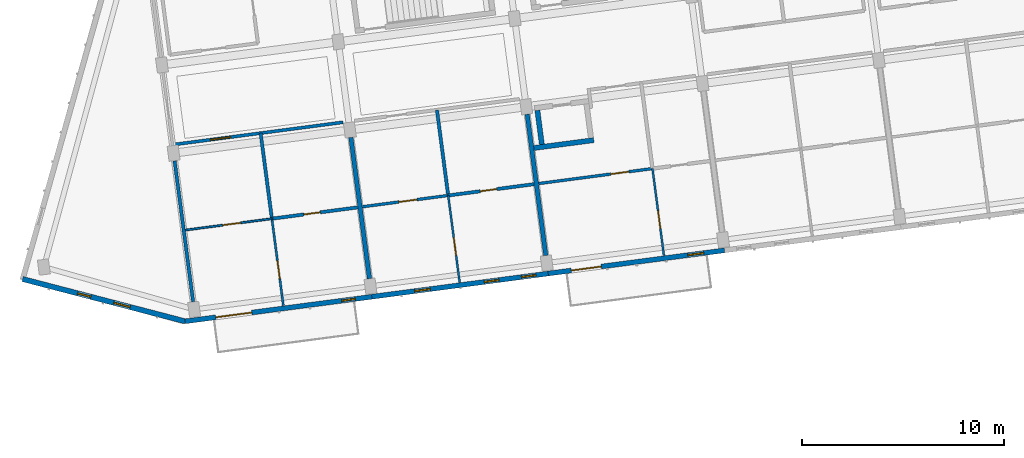
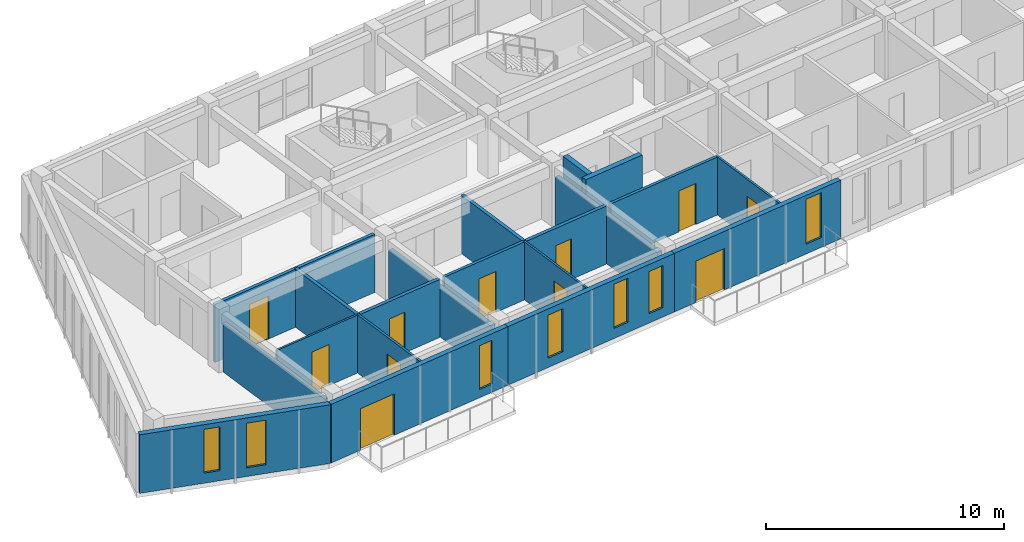
# One storey, part 20 of 65: 20 walls, 11 doors, 7 windows, 18 openings.
"""IFC4 building model written with IfcOpenShell, lengths in metres."""

from ifc_helpers import new_model, si_unit, direction, frame, frame_2d, origin, place, context, subcontext, project, spatial, rectangle, extrude, material, layer, layer_set, type_object, element, fill, save


model = new_model("IFC4")

# Units and contexts
model_context = context("Model", 3, precision=1e-05, world=origin(), true_north=direction((0.0, 1.0)))
body_context = subcontext(model_context, "Body", "Model", "MODEL_VIEW")
ifc_project = project(units=[si_unit("LENGTHUNIT", "METRE"), si_unit("AREAUNIT", "SQUARE_METRE"), si_unit("VOLUMEUNIT", "CUBIC_METRE"), si_unit("PLANEANGLEUNIT", "RADIAN"), si_unit("MASSUNIT", "GRAM", prefix="KILO")], contexts=[model_context])

# Site, building, storey
site_placement = place(None, origin())
site = spatial("IfcSite", under=ifc_project, at=site_placement, CompositionType="ELEMENT")
building_placement = place(site_placement, origin())
building = spatial("IfcBuilding", under=site, at=building_placement, Name="Kestramere Prow Commons", CompositionType="ELEMENT")
storey_placement = place(building_placement, frame((0.0, 0.0, 21.39990234375)))
storey = spatial("IfcBuildingStorey", under=building, at=storey_placement, Name="L06", CompositionType="ELEMENT", Elevation=21.39990234375)

# Wall, openings, windows
ifc_material_1 = material(Name="Weathered Zinc-Titanium Standing-Seam Cladding")
ifc_layer_1 = layer(ifc_material_1, 0.260009765625)
ifc_layer_set_1 = layer_set([ifc_layer_1], Name="Weathered Zinc-Titanium Standing-Seam Cladding")
wall_type_1 = type_object("IfcWallType", Name="EW-PROW-260", PredefinedType="SOLIDWALL", material=ifc_layer_set_1)
wall_1_placement = place(storey_placement, frame((10.748046875, 71.410888671875, 0.0), z_axis=(0.0, 0.0, 1.0), x_axis=(-0.967694955113, 0.252123925577, 0.0)))
wall_1 = element("IfcWall", 1, at=wall_1_placement, inside=storey, type_object=wall_type_1, Name="Block A L06 PRW-S Facet Wall", PredefinedType="SOLIDWALL", context=body_context, shape_type="SweptSolid", body=[
    extrude(rectangle(XDim=8.305419921875, YDim=0.260009765625, at=frame_2d((4.15283203125, 0.0))), origin(), (0.0, 0.0, 1.0), 3.0),
])
opening_1_placement = place(wall_1_placement, frame((2.81005859375, 0.0, 0.449951171875)))
opening_1 = element("IfcOpeningElement", 2, at=opening_1_placement, cuts=wall_1, Name="Opening WN-14", PredefinedType="OPENING", context=body_context, shape_type="SweptSolid", body=[
    extrude(rectangle(XDim=0.840087890625, YDim=2.280029296875, at=frame_2d((0.419921875, 1.14013671875))), frame((0.0, 0.14501953125, 0.0), z_axis=(0.0, -1.0, 0.0), x_axis=(1.0, 0.0, 0.0)), (0.0, 0.0, 1.0), 0.2900390625),
])
opening_2_placement = place(wall_1_placement, frame((4.815185546875, 0.0, 0.52001953125)))
opening_2 = element("IfcOpeningElement", 3, at=opening_2_placement, cuts=wall_1, Name="Opening WN-06", PredefinedType="OPENING", context=body_context, shape_type="SweptSolid", body=[
    extrude(rectangle(XDim=0.679931640625, YDim=2.239990234375, at=frame_2d((0.33984375, 1.1201171875))), frame((0.0, 0.14501953125, 0.0), z_axis=(0.0, -1.0, 0.0), x_axis=(1.0, 0.0, 0.0)), (0.0, 0.0, 1.0), 0.2900390625),
])
ifc_material_2 = material(Name="Low-E Laminated Double Glazing", Category="glass")
window_type_1 = type_object("IfcWindowType", Name="WN-NAR-680A", PartitioningType="SINGLE_PANEL", PredefinedType="WINDOW", material=ifc_material_2)
window_1_placement = place(opening_2_placement, origin())
window_1 = element("IfcWindow", 4, at=window_1_placement, inside=storey, type_object=window_type_1, Name="WN-A-L06-PRW-S-1", OverallHeight=2.239990234375, OverallWidth=0.679931640625, PartitioningType="SINGLE_PANEL", PredefinedType="WINDOW", context=body_context, shape_type="SweptSolid", body=[
    extrude(rectangle(XDim=0.679931640625, YDim=2.239990234375, at=frame_2d((0.33984375, 1.1201171875))), frame((0.0, 0.030029296875, 0.0), z_axis=(0.0, -1.0, 0.0), x_axis=(1.0, 0.0, 0.0)), (0.0, 0.0, 1.0), 0.06005859375),
])
fill(opening_2, window_1)
window_type_2 = type_object("IfcWindowType", Name="WN-NAR-840A", PartitioningType="DOUBLE_PANEL_VERTICAL", PredefinedType="WINDOW", material=ifc_material_2)
window_2_placement = place(opening_1_placement, origin())
window_2 = element("IfcWindow", 5, at=window_2_placement, inside=storey, type_object=window_type_2, Name="WN-A-L06-PRW-S-0", OverallHeight=2.280029296875, OverallWidth=0.840087890625, PartitioningType="SINGLE_PANEL", PredefinedType="WINDOW", context=body_context, shape_type="SweptSolid", body=[
    extrude(rectangle(XDim=0.840087890625, YDim=2.280029296875, at=frame_2d((0.419921875, 1.14013671875))), frame((0.0, 0.030029296875, 0.0), z_axis=(0.0, -1.0, 0.0), x_axis=(1.0, 0.0, 0.0)), (0.0, 0.0, 1.0), 0.06005859375),
])
fill(opening_1, window_2)

# Wall, openings, door, window
ifc_material_3 = material(Name="Fluoropolymer Standing-Seam Zinc-Aluminium Cladding", Category="aluminium")
ifc_layer_2 = layer(ifc_material_3, 0.239990234375)
ifc_layer_set_2 = layer_set([ifc_layer_2], Name="Fluoropolymer Standing-Seam Zinc-Aluminium Cladding")
wall_type_2 = type_object("IfcWallType", Name="EW-SEAM-240", PredefinedType="SOLIDWALL", material=ifc_layer_set_2)
wall_2_placement = place(storey_placement, frame((19.9931640625, 72.628173828125, 0.0), z_axis=(0.0, 0.0, 1.0), x_axis=(-0.991442885224, -0.130541201693, 0.0)))
wall_2 = element("IfcWall", 6, at=wall_2_placement, inside=storey, type_object=wall_type_2, Name="Block A L06 South Standing-Seam Wall 1", PredefinedType="SOLIDWALL", context=body_context, shape_type="SweptSolid", body=[
    extrude(rectangle(XDim=9.324951171875, YDim=0.239990234375, at=frame_2d((4.66259765625, 0.0))), origin(), (0.0, 0.0, 1.0), 3.0),
])
opening_3_placement = place(wall_2_placement, frame((5.9970703125, 0.0, 0.0)))
opening_3 = element("IfcOpeningElement", 7, at=opening_3_placement, cuts=wall_2, Name="Opening GD-BAL-02", PredefinedType="OPENING", context=body_context, shape_type="SweptSolid", body=[
    extrude(rectangle(XDim=1.800048828125, YDim=2.1201171875, at=frame_2d((0.89990234375, 1.06005859375))), frame((0.0, 0.135009765625, 0.0), z_axis=(0.0, -1.0, 0.0), x_axis=(1.0, 0.0, 0.0)), (0.0, 0.0, 1.0), 0.27001953125),
])
opening_4_placement = place(wall_2_placement, frame((0.830078125, 0.0, 0.419921875)))
opening_4 = element("IfcOpeningElement", 8, at=opening_4_placement, cuts=wall_2, Name="Opening WN-06", PredefinedType="OPENING", context=body_context, shape_type="SweptSolid", body=[
    extrude(rectangle(XDim=0.679931640625, YDim=2.239990234375, at=frame_2d((0.33984375, 1.1201171875))), frame((0.0, 0.135009765625, 0.0), z_axis=(0.0, -1.0, 0.0), x_axis=(1.0, 0.0, 0.0)), (0.0, 0.0, 1.0), 0.27001953125),
])
ifc_material_4 = material(Name="Thermally-Broken Anodised Aluminium Glazed", Category="aluminium")
door_type_1 = type_object("IfcDoorType", Name="GD-BAL-1800", OperationType="SLIDING_TO_LEFT", PredefinedType="DOOR", material=ifc_material_4)
door_1_placement = place(opening_3_placement, origin())
door_1 = element("IfcDoor", 9, at=door_1_placement, inside=storey, type_object=door_type_1, Name="Block A L06 Balcony Door 1", OperationType="SLIDING_TO_LEFT", OverallHeight=2.1201171875, OverallWidth=1.800048828125, PredefinedType="DOOR", context=body_context, shape_type="SweptSolid", body=[
    extrude(rectangle(XDim=1.800048828125, YDim=2.1201171875, at=frame_2d((0.89990234375, 1.06005859375))), frame((0.0, 0.02490234375, 0.0), z_axis=(0.0, -1.0, 0.0), x_axis=(1.0, 0.0, 0.0)), (0.0, 0.0, 1.0), 0.050048828125),
])
fill(opening_3, door_1)
window_3_placement = place(opening_4_placement, origin())
window_3 = element("IfcWindow", 10, at=window_3_placement, inside=storey, type_object=window_type_1, Name="WN-A-L06-SR-0", OverallHeight=2.239990234375, OverallWidth=0.679931640625, PartitioningType="SINGLE_PANEL", PredefinedType="WINDOW", context=body_context, shape_type="SweptSolid", body=[
    extrude(rectangle(XDim=0.679931640625, YDim=2.239990234375, at=frame_2d((0.33984375, 1.1201171875))), frame((0.0, 0.030029296875, 0.0), z_axis=(0.0, -1.0, 0.0), x_axis=(1.0, 0.0, 0.0)), (0.0, 0.0, 1.0), 0.06005859375),
])
fill(opening_4, window_3)

# Wall, openings, windows
wall_3_placement = place(storey_placement, frame((28.718017578125, 73.77685546875, 0.0), z_axis=(0.0, 0.0, 1.0), x_axis=(-0.991444377792, -0.130529865336, 0.0)))
wall_3 = element("IfcWall", 11, at=wall_3_placement, inside=storey, type_object=wall_type_2, Name="Block A L06 South Standing-Seam Wall 2", PredefinedType="SOLIDWALL", context=body_context, shape_type="SweptSolid", body=[
    extrude(rectangle(XDim=8.800048828125, YDim=0.239990234375, at=frame_2d((4.39990234375, 0.0))), origin(), (0.0, 0.0, 1.0), 3.0),
])
opening_5_placement = place(wall_3_placement, frame((0.610107421875, 0.0, 0.47998046875)))
opening_5 = element("IfcOpeningElement", 12, at=opening_5_placement, cuts=wall_3, Name="Opening WN-08", PredefinedType="OPENING", context=body_context, shape_type="SweptSolid", body=[
    extrude(rectangle(XDim=0.719970703125, YDim=2.159912109375, at=frame_2d((0.35986328125, 1.080078125))), frame((0.0, 0.135009765625, 0.0), z_axis=(0.0, -1.0, 0.0), x_axis=(1.0, 0.0, 0.0)), (0.0, 0.0, 1.0), 0.27001953125),
])
opening_6_placement = place(wall_3_placement, frame((2.4560546875, 0.0, 0.52001953125)))
opening_6 = element("IfcOpeningElement", 13, at=opening_6_placement, cuts=wall_3, Name="Opening WN-09", PredefinedType="OPENING", context=body_context, shape_type="SweptSolid", body=[
    extrude(rectangle(XDim=0.739990234375, YDim=2.260009765625, at=frame_2d((0.3701171875, 1.1298828125))), frame((0.0, 0.135009765625, 0.0), z_axis=(0.0, -1.0, 0.0), x_axis=(1.0, 0.0, 0.0)), (0.0, 0.0, 1.0), 0.27001953125),
])
opening_7_placement = place(wall_3_placement, frame((5.890625, 0.0, 0.47998046875)))
opening_7 = element("IfcOpeningElement", 14, at=opening_7_placement, cuts=wall_3, Name="Opening WN-11", PredefinedType="OPENING", context=body_context, shape_type="SweptSolid", body=[
    extrude(rectangle(XDim=0.780029296875, YDim=2.199951171875, at=frame_2d((0.39013671875, 1.10009765625))), frame((0.0, 0.135009765625, 0.0), z_axis=(0.0, -1.0, 0.0), x_axis=(1.0, 0.0, 0.0)), (0.0, 0.0, 1.0), 0.27001953125),
])
window_type_3 = type_object("IfcWindowType", Name="WN-NAR-720A", PartitioningType="SINGLE_PANEL", PredefinedType="WINDOW", material=ifc_material_2)
window_4_placement = place(opening_5_placement, origin())
window_4 = element("IfcWindow", 15, at=window_4_placement, inside=storey, type_object=window_type_3, Name="WN-A-L06-S-1-00", OverallHeight=2.159912109375, OverallWidth=0.719970703125, PartitioningType="SINGLE_PANEL", PredefinedType="WINDOW", context=body_context, shape_type="SweptSolid", body=[
    extrude(rectangle(XDim=0.719970703125, YDim=2.159912109375, at=frame_2d((0.35986328125, 1.080078125))), frame((0.0, 0.030029296875, 0.0), z_axis=(0.0, -1.0, 0.0), x_axis=(1.0, 0.0, 0.0)), (0.0, 0.0, 1.0), 0.06005859375),
])
fill(opening_5, window_4)
window_type_4 = type_object("IfcWindowType", Name="WN-NAR-740A", PartitioningType="SINGLE_PANEL", PredefinedType="WINDOW", material=ifc_material_2)
window_5_placement = place(opening_6_placement, origin())
window_5 = element("IfcWindow", 16, at=window_5_placement, inside=storey, type_object=window_type_4, Name="WN-A-L06-S-1-01", OverallHeight=2.260009765625, OverallWidth=0.739990234375, PartitioningType="SINGLE_PANEL", PredefinedType="WINDOW", context=body_context, shape_type="SweptSolid", body=[
    extrude(rectangle(XDim=0.739990234375, YDim=2.260009765625, at=frame_2d((0.3701171875, 1.1298828125))), frame((0.0, 0.030029296875, 0.0), z_axis=(0.0, -1.0, 0.0), x_axis=(1.0, 0.0, 0.0)), (0.0, 0.0, 1.0), 0.06005859375),
])
fill(opening_6, window_5)
window_type_5 = type_object("IfcWindowType", Name="WN-NAR-780A", PartitioningType="SINGLE_PANEL", PredefinedType="WINDOW", material=ifc_material_2)
window_6_placement = place(opening_7_placement, origin())
window_6 = element("IfcWindow", 17, at=window_6_placement, inside=storey, type_object=window_type_5, Name="WN-A-L06-S-1-10", OverallHeight=2.199951171875, OverallWidth=0.780029296875, PartitioningType="SINGLE_PANEL", PredefinedType="WINDOW", context=body_context, shape_type="SweptSolid", body=[
    extrude(rectangle(XDim=0.780029296875, YDim=2.199951171875, at=frame_2d((0.39013671875, 1.10009765625))), frame((0.0, 0.030029296875, 0.0), z_axis=(0.0, -1.0, 0.0), x_axis=(1.0, 0.0, 0.0)), (0.0, 0.0, 1.0), 0.06005859375),
])
fill(opening_7, window_6)

# Wall, openings, door, window
wall_4_placement = place(storey_placement, frame((37.442626953125, 74.92529296875, 0.0), z_axis=(0.0, 0.0, 1.0), x_axis=(-0.991447495205, -0.130506184728, 0.0)))
wall_4 = element("IfcWall", 18, at=wall_4_placement, inside=storey, type_object=wall_type_2, Name="Block A L06 South Standing-Seam Wall 3", PredefinedType="SOLIDWALL", context=body_context, shape_type="SweptSolid", body=[
    extrude(rectangle(XDim=8.7998046875, YDim=0.239990234375, at=frame_2d((4.39990234375, 0.0))), origin(), (0.0, 0.0, 1.0), 3.0),
])
opening_8_placement = place(wall_4_placement, frame((6.14697265625, 0.0, 0.0)))
opening_8 = element("IfcOpeningElement", 19, at=opening_8_placement, cuts=wall_4, Name="Opening GD-BAL-01", PredefinedType="OPENING", context=body_context, shape_type="SweptSolid", body=[
    extrude(rectangle(XDim=1.5, YDim=2.1201171875, at=frame_2d((0.75, 1.06005859375))), frame((0.0, 0.135009765625, 0.0), z_axis=(0.0, -1.0, 0.0), x_axis=(1.0, 0.0, 0.0)), (0.0, 0.0, 1.0), 0.27001953125),
])
opening_9_placement = place(wall_4_placement, frame((1.030029296875, 0.0, 0.5)))
opening_9 = element("IfcOpeningElement", 20, at=opening_9_placement, cuts=wall_4, Name="Opening WN-12", PredefinedType="OPENING", context=body_context, shape_type="SweptSolid", body=[
    extrude(rectangle(XDim=0.800048828125, YDim=2.300048828125, at=frame_2d((0.39990234375, 1.14990234375))), frame((0.0, 0.135009765625, 0.0), z_axis=(0.0, -1.0, 0.0), x_axis=(1.0, 0.0, 0.0)), (0.0, 0.0, 1.0), 0.27001953125),
])
door_type_2 = type_object("IfcDoorType", Name="GD-BAL-1500", OperationType="SLIDING_TO_RIGHT", PredefinedType="DOOR", material=ifc_material_4)
door_2_placement = place(opening_8_placement, origin())
door_2 = element("IfcDoor", 21, at=door_2_placement, inside=storey, type_object=door_type_2, Name="Block A L06 Balcony Door 3", OperationType="SLIDING_TO_RIGHT", OverallHeight=2.1201171875, OverallWidth=1.5, PredefinedType="DOOR", context=body_context, shape_type="SweptSolid", body=[
    extrude(rectangle(XDim=1.5, YDim=2.1201171875, at=frame_2d((0.75, 1.06005859375))), frame((0.0, 0.02490234375, 0.0), z_axis=(0.0, -1.0, 0.0), x_axis=(1.0, 0.0, 0.0)), (0.0, 0.0, 1.0), 0.050048828125),
])
fill(opening_8, door_2)
window_type_6 = type_object("IfcWindowType", Name="WN-NAR-800A", PartitioningType="SINGLE_PANEL", PredefinedType="WINDOW", material=ifc_material_2)
window_7_placement = place(opening_9_placement, origin())
window_7 = element("IfcWindow", 22, at=window_7_placement, inside=storey, type_object=window_type_6, Name="WN-A-L06-SR-2", OverallHeight=2.300048828125, OverallWidth=0.800048828125, PartitioningType="SINGLE_PANEL", PredefinedType="WINDOW", context=body_context, shape_type="SweptSolid", body=[
    extrude(rectangle(XDim=0.800048828125, YDim=2.300048828125, at=frame_2d((0.39990234375, 1.14990234375))), frame((0.0, 0.030029296875, 0.0), z_axis=(0.0, -1.0, 0.0), x_axis=(1.0, 0.0, 0.0)), (0.0, 0.0, 1.0), 0.06005859375),
])
fill(opening_9, window_7)

# Wall, opening, door
ifc_material_5 = material(Name="Fire-Rated Calcium Silicate Wall")
ifc_layer_3 = layer(ifc_material_5, 0.155029296875)
ifc_layer_set_3 = layer_set([ifc_layer_3], Name="Fire-Rated Calcium Silicate Wall")
wall_type_3 = type_object("IfcWallType", Name="W-FIRE-150", PredefinedType="PARTITIONING", material=ifc_layer_set_3)
wall_5_placement = place(storey_placement, frame((10.196533203125, 80.158935546875, 0.0), z_axis=(0.0, 0.0, 1.0), x_axis=(0.991448685923, 0.130497138599, 0.0)))
wall_5 = element("IfcWall", 23, at=wall_5_placement, inside=storey, type_object=wall_type_3, Name="Interior Partition PW-A-L06-CS-0", PredefinedType="PARTITIONING", context=body_context, shape_type="SweptSolid", body=[
    extrude(rectangle(XDim=8.445068359375, YDim=0.155029296875, at=frame_2d((4.22265625, 0.0))), origin(), (0.0, 0.0, 1.0), 2.97021484375),
])
opening_10_placement = place(wall_5_placement, frame((1.820068359375, 0.0, 0.0)))
opening_10 = element("IfcOpeningElement", 24, at=opening_10_placement, cuts=wall_5, Name="Opening ID-05", PredefinedType="OPENING", context=body_context, shape_type="SweptSolid", body=[
    extrude(rectangle(XDim=1.02001953125, YDim=2.199951171875, at=frame_2d((0.510009765625, 1.10009765625))), frame((0.0, 0.092529296875, 0.0), z_axis=(0.0, -1.0, 0.0), x_axis=(1.0, 0.0, 0.0)), (0.0, 0.0, 1.0), 0.18505859375),
])
ifc_material_6 = material(Name="Hardwood Fire-Rated Flat Entrance Door", Category="wood")
door_type_3 = type_object("IfcDoorType", Name="FD-ENT-02", OperationType="NOTDEFINED", PredefinedType="DOOR", material=ifc_material_6)
door_3_placement = place(opening_10_placement, origin())
door_3 = element("IfcDoor", 25, at=door_3_placement, inside=storey, type_object=door_type_3, Name="Interior Door DR-A-L06-ENT-S0", OperationType="SINGLE_SWING_LEFT", OverallHeight=2.199951171875, OverallWidth=1.02001953125, PredefinedType="DOOR", context=body_context, shape_type="SweptSolid", body=[
    extrude(rectangle(XDim=1.02001953125, YDim=2.199951171875, at=frame_2d((0.510009765625, 1.10009765625))), frame((0.0, 0.02490234375, 0.0), z_axis=(0.0, -1.0, 0.0), x_axis=(1.0, 0.0, 0.0)), (0.0, 0.0, 1.0), 0.050048828125),
])
fill(opening_10, door_3)

# Walls
ifc_material_7 = material(Name="Concrete C40/50", Category="concrete")
ifc_layer_4 = layer(ifc_material_7, 0.25)
ifc_layer_set_4 = layer_set([ifc_layer_4], Name="Concrete C40/50")
wall_type_4 = type_object("IfcWallType", Name="W-HS-250", PredefinedType="SHEAR", material=ifc_layer_set_4)
wall_6_placement = place(storey_placement, frame((28.01123046875, 79.987548828125, 0.0), z_axis=(0.0, 0.0, 1.0), x_axis=(0.991439837467, 0.130564346904, 0.0)))
element("IfcWall", 26, at=wall_6_placement, inside=storey, type_object=wall_type_4, Name="Block A L06 Household Shelter South Wall", PredefinedType="SHEAR", context=body_context, shape_type="SweptSolid", body=[
    extrude(rectangle(XDim=2.989990234375, YDim=0.25, at=frame_2d((1.4951171875, 0.0))), origin(), (0.0, 0.0, 1.0), 3.25),
])
wall_7_placement = place(storey_placement, frame((28.40625, 80.165771484375, 0.0), z_axis=(0.0, 0.0, 1.0), x_axis=(-0.130413643681, 0.991459672171, 0.0)))
element("IfcWall", 27, at=wall_7_placement, inside=storey, type_object=wall_type_4, Name="Block A L06 Household Shelter W Wall", PredefinedType="SHEAR", context=body_context, shape_type="SweptSolid", body=[
    extrude(rectangle(XDim=1.69970703125, YDim=0.25, at=frame_2d((0.849853515625, 0.0))), origin(), (0.0, 0.0, 1.0), 3.25),
])

# Wall, opening, door
ifc_material_8 = material(Name="Gypsum Acoustic Drywall")
ifc_layer_5 = layer(ifc_material_8, 0.10009765625)
ifc_layer_set_5 = layer_set([ifc_layer_5], Name="Gypsum Acoustic Drywall")
wall_type_5 = type_object("IfcWallType", Name="W-PART-100", PredefinedType="PARTITIONING", material=ifc_layer_set_5)
wall_8_placement = place(storey_placement, frame((24.337890625, 73.336181640625, 0.0), z_axis=(0.0, 0.0, 1.0), x_axis=(-0.130505442025, 0.991447592968, 0.0)))
wall_8 = element("IfcWall", 28, at=wall_8_placement, inside=storey, type_object=wall_type_5, Name="Interior Partition PW-A-L06-LB-S1", PredefinedType="PARTITIONING", context=body_context, shape_type="SweptSolid", body=[
    extrude(rectangle(XDim=4.340087890625, YDim=0.10009765625, at=frame_2d((2.169921875, 0.0))), origin(), (0.0, 0.0, 1.0), 2.97021484375),
])
opening_11_placement = place(wall_8_placement, frame((1.35009765625, 0.0, 0.0)))
opening_11 = element("IfcOpeningElement", 29, at=opening_11_placement, cuts=wall_8, Name="Opening ID-10", PredefinedType="OPENING", context=body_context, shape_type="SweptSolid", body=[
    extrude(rectangle(XDim=0.8798828125, YDim=2.10009765625, at=frame_2d((0.43994140625, 1.050048828125))), frame((0.0, 0.06494140625, 0.0), z_axis=(0.0, -1.0, 0.0), x_axis=(1.0, 0.0, 0.0)), (0.0, 0.0, 1.0), 0.130126953125),
])
ifc_material_9 = material(Name="Engineered Timber Bedroom Door", Category="wood")
door_type_4 = type_object("IfcDoorType", Name="D-RM-03", OperationType="NOTDEFINED", PredefinedType="DOOR", material=ifc_material_9)
door_4_placement = place(opening_11_placement, origin())
door_4 = element("IfcDoor", 30, at=door_4_placement, inside=storey, type_object=door_type_4, Name="Interior Door DR-A-L06-BED-S1", OperationType="SINGLE_SWING_RIGHT", OverallHeight=2.10009765625, OverallWidth=0.8798828125, PredefinedType="DOOR", context=body_context, shape_type="SweptSolid", body=[
    extrude(rectangle(XDim=0.8798828125, YDim=2.10009765625, at=frame_2d((0.43994140625, 1.050048828125))), frame((0.0, 0.02490234375, 0.0), z_axis=(0.0, -1.0, 0.0), x_axis=(1.0, 0.0, 0.0)), (0.0, 0.0, 1.0), 0.050048828125),
])
fill(opening_11, door_4)

wall_9_placement = place(storey_placement, frame((34.44580078125, 74.6669921875, 0.0), z_axis=(0.0, 0.0, 1.0), x_axis=(-0.130505442025, 0.991447592968, 0.0)))
wall_9 = element("IfcWall", 31, at=wall_9_placement, inside=storey, type_object=wall_type_5, Name="Interior Partition PW-A-L06-LB-S2", PredefinedType="PARTITIONING", context=body_context, shape_type="SweptSolid", body=[
    extrude(rectangle(XDim=4.340087890625, YDim=0.10009765625, at=frame_2d((2.169921875, 0.0))), origin(), (0.0, 0.0, 1.0), 2.97021484375),
])
opening_12_placement = place(wall_9_placement, frame((1.35009765625, 0.0, 0.0)))
opening_12 = element("IfcOpeningElement", 32, at=opening_12_placement, cuts=wall_9, Name="Opening ID-10", PredefinedType="OPENING", context=body_context, shape_type="SweptSolid", body=[
    extrude(rectangle(XDim=0.8798828125, YDim=2.10009765625, at=frame_2d((0.43994140625, 1.050048828125))), frame((0.0, 0.06494140625, 0.0), z_axis=(0.0, -1.0, 0.0), x_axis=(1.0, 0.0, 0.0)), (0.0, 0.0, 1.0), 0.130126953125),
])
door_5_placement = place(opening_12_placement, origin())
door_5 = element("IfcDoor", 33, at=door_5_placement, inside=storey, type_object=door_type_4, Name="Interior Door DR-A-L06-BED-S2", OperationType="SINGLE_SWING_LEFT", OverallHeight=2.10009765625, OverallWidth=0.8798828125, PredefinedType="DOOR", context=body_context, shape_type="SweptSolid", body=[
    extrude(rectangle(XDim=0.8798828125, YDim=2.10009765625, at=frame_2d((0.43994140625, 1.050048828125))), frame((0.0, 0.02490234375, 0.0), z_axis=(0.0, -1.0, 0.0), x_axis=(1.0, 0.0, 0.0)), (0.0, 0.0, 1.0), 0.050048828125),
])
fill(opening_12, door_5)

ifc_layer_6 = layer(ifc_material_8, 0.110107421875)
ifc_layer_set_6 = layer_set([ifc_layer_6], Name="Gypsum Acoustic Drywall")
wall_type_6 = type_object("IfcWallType", Name="W-PART-110", PredefinedType="PARTITIONING", material=ifc_layer_set_6)
wall_10_placement = place(storey_placement, frame((15.61328125, 72.187744140625, 0.0), z_axis=(0.0, 0.0, 1.0), x_axis=(-0.130512720879, 0.991446634816, 0.0)))
wall_10 = element("IfcWall", 34, at=wall_10_placement, inside=storey, type_object=wall_type_6, Name="Interior Partition PW-A-L06-LB-S0", PredefinedType="PARTITIONING", context=body_context, shape_type="SweptSolid", body=[
    extrude(rectangle(XDim=4.33984375, YDim=0.110107421875, at=frame_2d((2.169921875, 0.0))), origin(), (0.0, 0.0, 1.0), 2.97021484375),
])
opening_13_placement = place(wall_10_placement, frame((1.35009765625, 0.0, 0.0)))
opening_13 = element("IfcOpeningElement", 35, at=opening_13_placement, cuts=wall_10, Name="Opening ID-08", PredefinedType="OPENING", context=body_context, shape_type="SweptSolid", body=[
    extrude(rectangle(XDim=0.89990234375, YDim=2.10009765625, at=frame_2d((0.449951171875, 1.050048828125))), frame((0.0, 0.070068359375, 0.0), z_axis=(0.0, -1.0, 0.0), x_axis=(1.0, 0.0, 0.0)), (0.0, 0.0, 1.0), 0.14013671875),
])
ifc_material_10 = material(Name="Engineered Timber Flush Door", Category="wood")
door_type_5 = type_object("IfcDoorType", Name="D-RM-01", OperationType="NOTDEFINED", PredefinedType="DOOR", material=ifc_material_10)
door_6_placement = place(opening_13_placement, origin())
door_6 = element("IfcDoor", 36, at=door_6_placement, inside=storey, type_object=door_type_5, Name="Interior Door DR-A-L06-BED-S0", OperationType="SINGLE_SWING_LEFT", OverallHeight=2.10009765625, OverallWidth=0.89990234375, PredefinedType="DOOR", context=body_context, shape_type="SweptSolid", body=[
    extrude(rectangle(XDim=0.89990234375, YDim=2.10009765625, at=frame_2d((0.449951171875, 1.050048828125))), frame((0.0, 0.02490234375, 0.0), z_axis=(0.0, -1.0, 0.0), x_axis=(1.0, 0.0, 0.0)), (0.0, 0.0, 1.0), 0.050048828125),
])
fill(opening_13, door_6)

ifc_material_11 = material(Name="Masonry Compartment Wall", Category="masonry")
ifc_layer_7 = layer(ifc_material_11, 0.139892578125)
ifc_layer_set_7 = layer_set([ifc_layer_7], Name="Masonry Compartment Wall")
wall_type_7 = type_object("IfcWallType", Name="W-PART-140", PredefinedType="PARTITIONING", material=ifc_layer_set_7)
wall_11_placement = place(storey_placement, frame((19.523193359375, 77.079833984375, 0.0), z_axis=(0.0, 0.0, 1.0), x_axis=(0.991444014242, 0.130532626667, 0.0)))
wall_11 = element("IfcWall", 37, at=wall_11_placement, inside=storey, type_object=wall_type_7, Name="Interior Partition PW-A-L06-MIDS1-1", PredefinedType="PARTITIONING", context=body_context, shape_type="SweptSolid", body=[
    extrude(rectangle(XDim=4.284912109375, YDim=0.139892578125, at=frame_2d((2.142578125, 0.0))), origin(), (0.0, 0.0, 1.0), 2.97021484375),
])
opening_14_placement = place(wall_11_placement, frame((1.824951171875, 0.0, 0.0)))
opening_14 = element("IfcOpeningElement", 38, at=opening_14_placement, cuts=wall_11, Name="Opening ID-08", PredefinedType="OPENING", context=body_context, shape_type="SweptSolid", body=[
    extrude(rectangle(XDim=0.89990234375, YDim=2.10009765625, at=frame_2d((0.449951171875, 1.050048828125))), frame((0.0, 0.0849609375, 0.0), z_axis=(0.0, -1.0, 0.0), x_axis=(1.0, 0.0, 0.0)), (0.0, 0.0, 1.0), 0.169921875),
])
door_7_placement = place(opening_14_placement, origin())
door_7 = element("IfcDoor", 39, at=door_7_placement, inside=storey, type_object=door_type_5, Name="Interior Door DR-A-L06-KL-S1", OperationType="SINGLE_SWING_RIGHT", OverallHeight=2.10009765625, OverallWidth=0.89990234375, PredefinedType="DOOR", context=body_context, shape_type="SweptSolid", body=[
    extrude(rectangle(XDim=0.89990234375, YDim=2.10009765625, at=frame_2d((0.449951171875, 1.050048828125))), frame((0.0, 0.02490234375, 0.0), z_axis=(0.0, -1.0, 0.0), x_axis=(1.0, 0.0, 0.0)), (0.0, 0.0, 1.0), 0.050048828125),
])
fill(opening_14, door_7)

wall_12_placement = place(storey_placement, frame((28.247802734375, 78.228515625, 0.0), z_axis=(0.0, 0.0, 1.0), x_axis=(0.991443905556, 0.130533452169, 0.0)))
wall_12 = element("IfcWall", 40, at=wall_12_placement, inside=storey, type_object=wall_type_7, Name="Interior Partition PW-A-L06-MIDS1-2", PredefinedType="PARTITIONING", context=body_context, shape_type="SweptSolid", body=[
    extrude(rectangle(XDim=5.68017578125, YDim=0.139892578125, at=frame_2d((2.840087890625, 0.0))), origin(), (0.0, 0.0, 1.0), 2.97021484375),
])
opening_15_placement = place(wall_12_placement, frame((3.594970703125, 0.0, 0.0)))
opening_15 = element("IfcOpeningElement", 41, at=opening_15_placement, cuts=wall_12, Name="Opening ID-08", PredefinedType="OPENING", context=body_context, shape_type="SweptSolid", body=[
    extrude(rectangle(XDim=0.89990234375, YDim=2.10009765625, at=frame_2d((0.449951171875, 1.050048828125))), frame((0.0, 0.0849609375, 0.0), z_axis=(0.0, -1.0, 0.0), x_axis=(1.0, 0.0, 0.0)), (0.0, 0.0, 1.0), 0.169921875),
])
door_8_placement = place(opening_15_placement, origin())
door_8 = element("IfcDoor", 42, at=door_8_placement, inside=storey, type_object=door_type_5, Name="Interior Door DR-A-L06-KL-S2", OperationType="SINGLE_SWING_RIGHT", OverallHeight=2.10009765625, OverallWidth=0.89990234375, PredefinedType="DOOR", context=body_context, shape_type="SweptSolid", body=[
    extrude(rectangle(XDim=0.89990234375, YDim=2.10009765625, at=frame_2d((0.449951171875, 1.050048828125))), frame((0.0, 0.02490234375, 0.0), z_axis=(0.0, -1.0, 0.0), x_axis=(1.0, 0.0, 0.0)), (0.0, 0.0, 1.0), 0.050048828125),
])
fill(opening_15, door_8)

ifc_layer_8 = layer(ifc_material_8, 0.094970703125)
ifc_layer_set_8 = layer_set([ifc_layer_8], Name="Gypsum Acoustic Drywall")
wall_type_8 = type_object("IfcWallType", Name="W-PART-95", PredefinedType="PARTITIONING", material=ifc_layer_set_8)
wall_13_placement = place(storey_placement, frame((10.773681640625, 75.927978515625, 0.0), z_axis=(0.0, 0.0, 1.0), x_axis=(0.991447160489, 0.130508727519, 0.0)))
wall_13 = element("IfcWall", 43, at=wall_13_placement, inside=storey, type_object=wall_type_8, Name="Interior Partition PW-A-L06-MIDS1-0", PredefinedType="PARTITIONING", context=body_context, shape_type="SweptSolid", body=[
    extrude(rectangle(XDim=4.31005859375, YDim=0.094970703125, at=frame_2d((2.155029296875, 0.0))), origin(), (0.0, 0.0, 1.0), 2.97021484375),
])
opening_16_placement = place(wall_13_placement, frame((1.85009765625, 0.0, 0.0)))
opening_16 = element("IfcOpeningElement", 44, at=opening_16_placement, cuts=wall_13, Name="Opening ID-08", PredefinedType="OPENING", context=body_context, shape_type="SweptSolid", body=[
    extrude(rectangle(XDim=0.89990234375, YDim=2.10009765625, at=frame_2d((0.449951171875, 1.050048828125))), frame((0.0, 0.0625, 0.0), z_axis=(0.0, -1.0, 0.0), x_axis=(1.0, 0.0, 0.0)), (0.0, 0.0, 1.0), 0.125),
])
door_9_placement = place(opening_16_placement, origin())
door_9 = element("IfcDoor", 45, at=door_9_placement, inside=storey, type_object=door_type_5, Name="Interior Door DR-A-L06-KL-S0", OperationType="SINGLE_SWING_RIGHT", OverallHeight=2.10009765625, OverallWidth=0.89990234375, PredefinedType="DOOR", context=body_context, shape_type="SweptSolid", body=[
    extrude(rectangle(XDim=0.89990234375, YDim=2.10009765625, at=frame_2d((0.449951171875, 1.050048828125))), frame((0.0, 0.02490234375, 0.0), z_axis=(0.0, -1.0, 0.0), x_axis=(1.0, 0.0, 0.0)), (0.0, 0.0, 1.0), 0.050048828125),
])
fill(opening_16, door_9)

# Wall
ifc_material_12 = material(Name="Waterproof Sanitary Masonry Wall", Category="masonry")
ifc_layer_9 = layer(ifc_material_12, 0.1650390625)
ifc_layer_set_9 = layer_set([ifc_layer_9], Name="Waterproof Sanitary Masonry Wall")
wall_type_9 = type_object("IfcWallType", Name="W-PLUMB-150", PredefinedType="PLUMBINGWALL", material=ifc_layer_set_9)
wall_14_placement = place(storey_placement, frame((11.149658203125, 72.381591796875, 0.0), z_axis=(0.0, 0.0, 1.0), x_axis=(-0.130507514421, 0.991447320174, 0.0)))
element("IfcWall", 46, at=wall_14_placement, inside=storey, type_object=wall_type_9, Name="Interior Partition PW-A-L06-PRWW-S", PredefinedType="PLUMBINGWALL", context=body_context, shape_type="SweptSolid", body=[
    extrude(rectangle(XDim=7.030029296875, YDim=0.1650390625, at=frame_2d((3.51513671875, 0.0))), origin(), (0.0, 0.0, 1.0), 2.5),
])

# Wall, opening, door
wall_15_placement = place(storey_placement, frame((15.046875, 76.490478515625, 0.0), z_axis=(0.0, 0.0, 1.0), x_axis=(0.991444014242, 0.130532626667, 0.0)))
wall_15 = element("IfcWall", 47, at=wall_15_placement, inside=storey, type_object=wall_type_9, Name="Interior Partition PW-A-L06-MIDS2-0", PredefinedType="PLUMBINGWALL", context=body_context, shape_type="SweptSolid", body=[
    extrude(rectangle(XDim=4.284912109375, YDim=0.1650390625, at=frame_2d((2.142578125, 0.0))), origin(), (0.0, 0.0, 1.0), 2.97021484375),
])
opening_17_placement = place(wall_15_placement, frame((1.60009765625, 0.0, 0.0)))
opening_17 = element("IfcOpeningElement", 48, at=opening_17_placement, cuts=wall_15, Name="Opening ID-11", PredefinedType="OPENING", context=body_context, shape_type="SweptSolid", body=[
    extrude(rectangle(XDim=0.820068359375, YDim=2.080078125, at=frame_2d((0.41015625, 1.0400390625))), frame((0.0, 0.097412109375, 0.0), z_axis=(0.0, -1.0, 0.0), x_axis=(1.0, 0.0, 0.0)), (0.0, 0.0, 1.0), 0.195068359375),
])
ifc_material_13 = material(Name="Moisture-Resistant Timber Bathroom Door", Category="wood")
door_type_6 = type_object("IfcDoorType", Name="D-BT-01", OperationType="NOTDEFINED", PredefinedType="DOOR", material=ifc_material_13)
door_10_placement = place(opening_17_placement, origin())
door_10 = element("IfcDoor", 49, at=door_10_placement, inside=storey, type_object=door_type_6, Name="Interior Door DR-A-L06-BTH-S0", OperationType="SINGLE_SWING_LEFT", OverallHeight=2.080078125, OverallWidth=0.820068359375, PredefinedType="DOOR", context=body_context, shape_type="SweptSolid", body=[
    extrude(rectangle(XDim=0.820068359375, YDim=2.080078125, at=frame_2d((0.41015625, 1.0400390625))), frame((0.0, 0.02490234375, 0.0), z_axis=(0.0, -1.0, 0.0), x_axis=(1.0, 0.0, 0.0)), (0.0, 0.0, 1.0), 0.050048828125),
])
fill(opening_17, door_10)

# Wall
wall_16_placement = place(storey_placement, frame((15.046875, 76.490478515625, 0.0), z_axis=(0.0, 0.0, 1.0), x_axis=(-0.13053438047, 0.991443783336, 0.0)))
element("IfcWall", 50, at=wall_16_placement, inside=storey, type_object=wall_type_9, Name="Interior Partition PW-A-L06-KB-S0", PredefinedType="PLUMBINGWALL", context=body_context, shape_type="SweptSolid", body=[
    extrude(rectangle(XDim=4.27001953125, YDim=0.1650390625, at=frame_2d((2.135009765625, 0.0))), origin(), (0.0, 0.0, 1.0), 2.97021484375),
])

# Wall, opening, door
wall_17_placement = place(storey_placement, frame((23.771484375, 77.63916015625, 0.0), z_axis=(0.0, 0.0, 1.0), x_axis=(0.991444014242, 0.130532626667, 0.0)))
wall_17 = element("IfcWall", 51, at=wall_17_placement, inside=storey, type_object=wall_type_9, Name="Interior Partition PW-A-L06-MIDS2-1", PredefinedType="PLUMBINGWALL", context=body_context, shape_type="SweptSolid", body=[
    extrude(rectangle(XDim=4.284912109375, YDim=0.1650390625, at=frame_2d((2.142578125, 0.0))), origin(), (0.0, 0.0, 1.0), 2.97021484375),
])
opening_18_placement = place(wall_17_placement, frame((1.60009765625, 0.0, 0.0)))
opening_18 = element("IfcOpeningElement", 52, at=opening_18_placement, cuts=wall_17, Name="Opening ID-11", PredefinedType="OPENING", context=body_context, shape_type="SweptSolid", body=[
    extrude(rectangle(XDim=0.820068359375, YDim=2.080078125, at=frame_2d((0.41015625, 1.0400390625))), frame((0.0, 0.097412109375, 0.0), z_axis=(0.0, -1.0, 0.0), x_axis=(1.0, 0.0, 0.0)), (0.0, 0.0, 1.0), 0.195068359375),
])
door_11_placement = place(opening_18_placement, origin())
door_11 = element("IfcDoor", 53, at=door_11_placement, inside=storey, type_object=door_type_6, Name="Interior Door DR-A-L06-BTH-S1", OperationType="SINGLE_SWING_LEFT", OverallHeight=2.080078125, OverallWidth=0.820068359375, PredefinedType="DOOR", context=body_context, shape_type="SweptSolid", body=[
    extrude(rectangle(XDim=0.820068359375, YDim=2.080078125, at=frame_2d((0.41015625, 1.0400390625))), frame((0.0, 0.02490234375, 0.0), z_axis=(0.0, -1.0, 0.0), x_axis=(1.0, 0.0, 0.0)), (0.0, 0.0, 1.0), 0.050048828125),
])
fill(opening_18, door_11)

# Walls
wall_18_placement = place(storey_placement, frame((23.771484375, 77.63916015625, 0.0), z_axis=(0.0, 0.0, 1.0), x_axis=(-0.13053438047, 0.991443783336, 0.0)))
element("IfcWall", 54, at=wall_18_placement, inside=storey, type_object=wall_type_9, Name="Interior Partition PW-A-L06-KB-S1", PredefinedType="PLUMBINGWALL", context=body_context, shape_type="SweptSolid", body=[
    extrude(rectangle(XDim=4.27001953125, YDim=0.1650390625, at=frame_2d((2.135009765625, 0.0))), origin(), (0.0, 0.0, 1.0), 2.97021484375),
])
ifc_material_14 = material(Name="Precast concrete C40/50", Category="concrete")
ifc_layer_10 = layer(ifc_material_14, 0.219970703125)
ifc_layer_set_10 = layer_set([ifc_layer_10], Name="Precast concrete C40/50")
wall_type_10 = type_object("IfcWallType", Name="W-XWALL-220", PredefinedType="SHEAR", material=ifc_layer_set_10)
wall_19_placement = place(storey_placement, frame((19.875732421875, 73.5205078125, 0.0), z_axis=(0.0, 0.0, 1.0), x_axis=(-0.130523490966, 0.991445216997, 0.0)))
element("IfcWall", 55, at=wall_19_placement, inside=storey, type_object=wall_type_10, Name="Block A L06 Precast Cross-Wall 1", PredefinedType="SHEAR", context=body_context, shape_type="SweptSolid", body=[
    extrude(rectangle(XDim=7.0498046875, YDim=0.219970703125, at=frame_2d((3.52490234375, 0.0))), origin(), (0.0, 0.0, 1.0), 2.5),
])
wall_20_placement = place(storey_placement, frame((28.6005859375, 74.6689453125, 0.0), z_axis=(0.0, 0.0, 1.0), x_axis=(-0.130553049113, 0.991441325227, 0.0)))
element("IfcWall", 56, at=wall_20_placement, inside=storey, type_object=wall_type_10, Name="Block A L06 Precast Cross-Wall 2", PredefinedType="SHEAR", context=body_context, shape_type="SweptSolid", body=[
    extrude(rectangle(XDim=7.050048828125, YDim=0.219970703125, at=frame_2d((3.52490234375, 0.0))), origin(), (0.0, 0.0, 1.0), 2.5),
])

save(model, "model.ifc")
